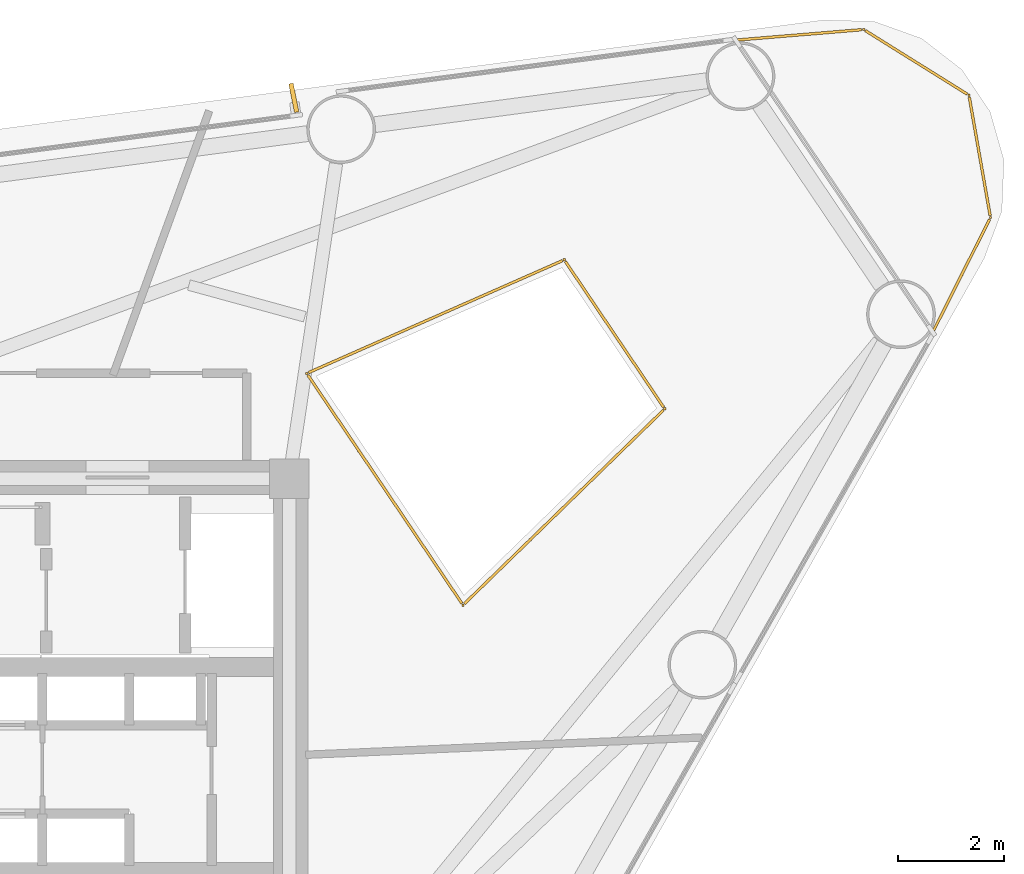
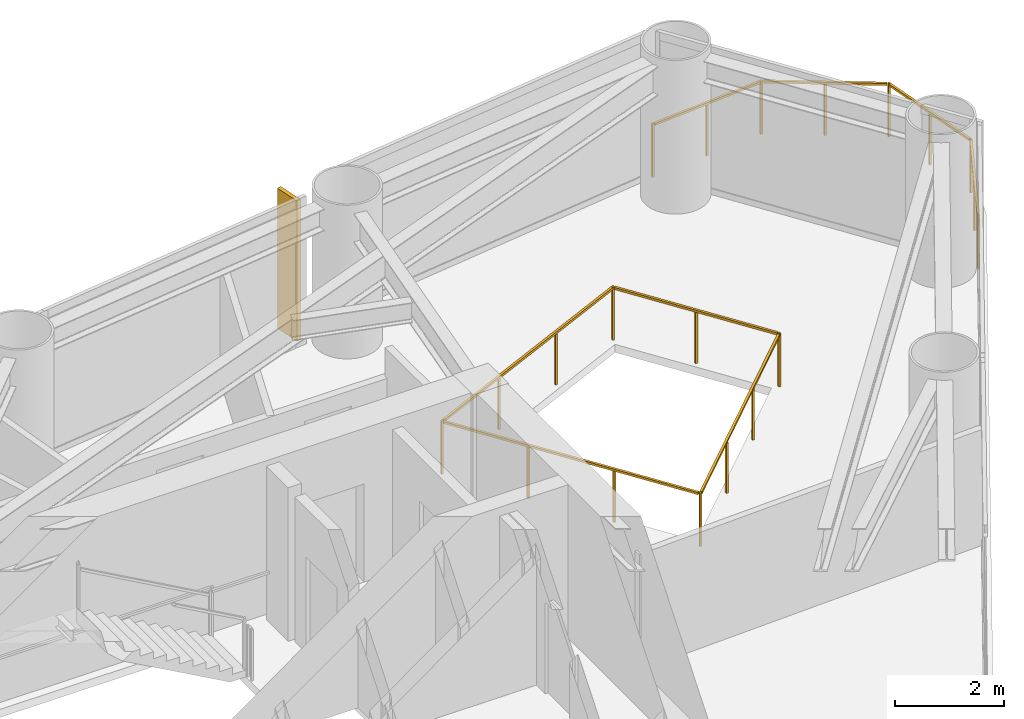
# One storey, part 9 of 9: 2 railings, 1 shading device.
"""IFC4 building model written with IfcOpenShell, lengths in metres."""

from ifc_helpers import new_model, si_unit, direction, frame, origin, origin_2d, place, context, subcontext, project, spatial, rectangle, extrude, source, transform, mapped, material, material_profile, profile_set, type_object, element, save


model = new_model("IFC4")

# Units and contexts
model_context = context("Model", 3, precision=1e-05, world=origin(), true_north=direction((0.0, 1.0)))
body_context = subcontext(model_context, "Body", "Model", "MODEL_VIEW")
ifc_project = project(units=[si_unit("LENGTHUNIT", "METRE"), si_unit("AREAUNIT", "SQUARE_METRE"), si_unit("VOLUMEUNIT", "CUBIC_METRE"), si_unit("PLANEANGLEUNIT", "RADIAN"), si_unit("MASSUNIT", "GRAM", prefix="KILO")], contexts=[model_context])

# Site, building, storey
site_placement = place(None, origin())
site = spatial("IfcSite", under=ifc_project, at=site_placement, CompositionType="ELEMENT")
building_placement = place(site_placement, origin())
building = spatial("IfcBuilding", under=site, at=building_placement, Name="Yunling Apex Tower", CompositionType="ELEMENT")
storey_placement = place(building_placement, frame((0.0, 0.0, 165.64990234375)))
storey = spatial("IfcBuildingStorey", under=building, at=storey_placement, Name="L40", CompositionType="ELEMENT", Elevation=165.64990234375)

# Railings
ifc_material = material(Name="Bronze anodised aluminium", Category="aluminium")
railing_type = type_object("IfcRailingType", Name="RL-BAL-1200", PredefinedType="BALUSTRADE", material=ifc_material)
railing_1_placement = place(storey_placement, frame((14.496337890625, 13.798095703125, 0.0)))
element("IfcRailing", 1, at=railing_1_placement, inside=storey, type_object=railing_type, Name="RL-CRNSILL-L40-1", PredefinedType="BALUSTRADE", context=body_context, shape_type="SweptSolid", body=[
    extrude(rectangle(XDim=0.0439453125, YDim=0.0439453125, at=origin_2d()), origin(), (0.0, 0.0, 1.0), 1.199951171875),
    extrude(rectangle(XDim=0.0439453125, YDim=0.0439453125, at=origin_2d()), frame((2.421142578125, 0.2001953125, 0.0)), (0.0, 0.0, 1.0), 1.199951171875),
    extrude(rectangle(XDim=0.050048828125, YDim=0.050048828125, at=origin_2d()), frame((0.0380859375, 0.003173828125, 1.1748046875), z_axis=(0.99659891826, 0.082405073407, 0.0), x_axis=(-0.082405073407, 0.99659891826, 0.0)), (0.0, 0.0, 1.0), 2.352783203125),
    extrude(rectangle(XDim=0.0439453125, YDim=0.0439453125, at=origin_2d()), frame((1.21044921875, 0.10009765625, 0.0)), (0.0, 0.0, 1.0), 1.14599609375),
    extrude(rectangle(XDim=0.0439453125, YDim=0.0439453125, at=origin_2d()), frame((4.412841796875, -1.043701171875, 0.0)), (0.0, 0.0, 1.0), 1.199951171875),
    extrude(rectangle(XDim=0.050048828125, YDim=0.050048828125, at=origin_2d()), frame((2.45361328125, 0.179931640625, 1.1748046875), z_axis=(0.84817348515, -0.52971854705, 0.0), x_axis=(0.52971854705, 0.84817348515, 0.0)), (0.0, 0.0, 1.0), 2.271484375),
    extrude(rectangle(XDim=0.0439453125, YDim=0.0439453125, at=origin_2d()), frame((3.4169921875, -0.421875, 0.0)), (0.0, 0.0, 1.0), 1.14599609375),
    extrude(rectangle(XDim=0.0439453125, YDim=0.0439453125, at=origin_2d()), frame((4.820068359375, -3.356201171875, 0.0)), (0.0, 0.0, 1.0), 1.199951171875),
    extrude(rectangle(XDim=0.050048828125, YDim=0.050048828125, at=origin_2d()), frame((4.41943359375, -1.08154296875, 1.1748046875), z_axis=(0.173429436748, -0.984846297891, 0.0), x_axis=(0.984846297891, 0.173429436748, 0.0)), (0.0, 0.0, 1.0), 2.271484375),
    extrude(rectangle(XDim=0.0439453125, YDim=0.0439453125, at=origin_2d()), frame((4.616455078125, -2.199951171875, 0.0)), (0.0, 0.0, 1.0), 1.14599609375),
    extrude(rectangle(XDim=0.0439453125, YDim=0.0439453125, at=origin_2d()), frame((3.7275390625, -5.526123046875, 0.0)), (0.0, 0.0, 1.0), 1.199951171875),
    extrude(rectangle(XDim=0.050048828125, YDim=0.050048828125, at=origin_2d()), frame((4.802734375, -3.390380859375, 1.1748046875), z_axis=(-0.449704074189, -0.893177611485, 0.0), x_axis=(0.893177611485, -0.449704074189, 0.0)), (0.0, 0.0, 1.0), 2.352783203125),
    extrude(rectangle(XDim=0.0439453125, YDim=0.0439453125, at=origin_2d()), frame((4.27392578125, -4.441162109375, 0.0)), (0.0, 0.0, 1.0), 1.14599609375),
])
railing_2_placement = place(storey_placement, frame((6.381103515625, 7.49267578125, 0.0)))
element("IfcRailing", 2, at=railing_2_placement, inside=storey, type_object=railing_type, Name="RL-TATR-L40", PredefinedType="BALUSTRADE", context=body_context, shape_type="SweptSolid", body=[
    extrude(rectangle(XDim=0.0439453125, YDim=0.0439453125, at=origin_2d()), origin(), (0.0, 0.0, 1.0), 1.199951171875),
    extrude(rectangle(XDim=0.0439453125, YDim=0.0439453125, at=origin_2d()), frame((4.87158203125, 2.1484375, 0.0)), (0.0, 0.0, 1.0), 1.199951171875),
    extrude(rectangle(XDim=0.050048828125, YDim=0.050048828125, at=origin_2d()), frame((0.03515625, 0.015380859375, 1.1748046875), z_axis=(0.914972578992, 0.403516021606, 0.0), x_axis=(-0.403516021606, 0.914972578992, 0.0)), (0.0, 0.0, 1.0), 5.24755859375),
    extrude(rectangle(XDim=0.0439453125, YDim=0.0439453125, at=origin_2d()), frame((1.623779296875, 0.716064453125, 0.0)), (0.0, 0.0, 1.0), 1.14599609375),
    extrude(rectangle(XDim=0.0439453125, YDim=0.0439453125, at=origin_2d()), frame((3.247802734375, 1.432373046875, 0.0)), (0.0, 0.0, 1.0), 1.14599609375),
    extrude(rectangle(XDim=0.0439453125, YDim=0.0439453125, at=origin_2d()), frame((6.773193359375, -0.6708984375, 0.0)), (0.0, 0.0, 1.0), 1.199951171875),
    extrude(rectangle(XDim=0.050048828125, YDim=0.050048828125, at=origin_2d()), frame((4.89306640625, 2.11669921875, 1.1748046875), z_axis=(0.559181833343, -0.829045039343, 0.0), x_axis=(0.829045039343, 0.559181833343, 0.0)), (0.0, 0.0, 1.0), 3.323974609375),
    extrude(rectangle(XDim=0.0439453125, YDim=0.0439453125, at=origin_2d()), frame((5.822265625, 0.73876953125, 0.0)), (0.0, 0.0, 1.0), 1.14599609375),
    extrude(rectangle(XDim=0.0439453125, YDim=0.0439453125, at=origin_2d()), frame((2.956298828125, -4.383056640625, 0.0)), (0.0, 0.0, 1.0), 1.199951171875),
    extrude(rectangle(XDim=0.050048828125, YDim=0.050048828125, at=origin_2d()), frame((6.74560546875, -0.697509765625, 1.1748046875), z_axis=(-0.71687395367, -0.697202792987, 0.0), x_axis=(0.697202792987, -0.71687395367, 0.0)), (0.0, 0.0, 1.0), 5.247802734375),
    extrude(rectangle(XDim=0.0439453125, YDim=0.0439453125, at=origin_2d()), frame((5.5009765625, -1.908203125, 0.0)), (0.0, 0.0, 1.0), 1.14599609375),
    extrude(rectangle(XDim=0.0439453125, YDim=0.0439453125, at=origin_2d()), frame((4.228515625, -3.145751953125, 0.0)), (0.0, 0.0, 1.0), 1.14599609375),
    extrude(rectangle(XDim=0.050048828125, YDim=0.050048828125, at=origin_2d()), frame((2.934814453125, -4.351318359375, 1.1748046875), z_axis=(-0.559178576396, 0.829047236109, 0.0), x_axis=(-0.829047236109, -0.559178576396, 0.0)), (0.0, 0.0, 1.0), 5.210205078125),
    extrude(rectangle(XDim=0.0439453125, YDim=0.0439453125, at=origin_2d()), frame((1.970947265625, -2.922119140625, 0.0)), (0.0, 0.0, 1.0), 1.14599609375),
    extrude(rectangle(XDim=0.0439453125, YDim=0.0439453125, at=origin_2d()), frame((0.9853515625, -1.4609375, 0.0)), (0.0, 0.0, 1.0), 1.14599609375),
])

# Shading device
ifc_material_profile = material_profile(ifc_material, rectangle(XDim=0.0849609375, YDim=0.550048828125, at=origin_2d()))
ifc_profile_set = profile_set([ifc_material_profile], Name="Bronze anodised aluminium")
shading_device_type = type_object("IfcShadingDeviceType", Name="FN-BRZ-3", PredefinedType="USERDEFINED", material=ifc_profile_set)
shared_shape = source(origin(), body_context, "Body", "SweptSolid", [
    extrude(rectangle(XDim=0.0849609375, YDim=0.550048828125, at=origin_2d()), origin(), (0.0, 0.0, 1.0), 3.14990234375),
])
shading_device_placement = place(storey_placement, frame((6.13671875, 12.706787109375, 0.06005859375), z_axis=(0.0, 0.0, 1.0), x_axis=(-0.980648842665, -0.195774991714, 0.0)))
element("IfcShadingDevice", 3, at=shading_device_placement, inside=storey, type_object=shading_device_type, Name="CW-L40-F2-B2-FIN-01", ObjectType="FIN", PredefinedType="USERDEFINED", context=body_context, shape_type="MappedRepresentation", body=[
    mapped(shared_shape, transform((0.0, 0.0, 0.0), scale=1.0)),
])

save(model, "model.ifc")
